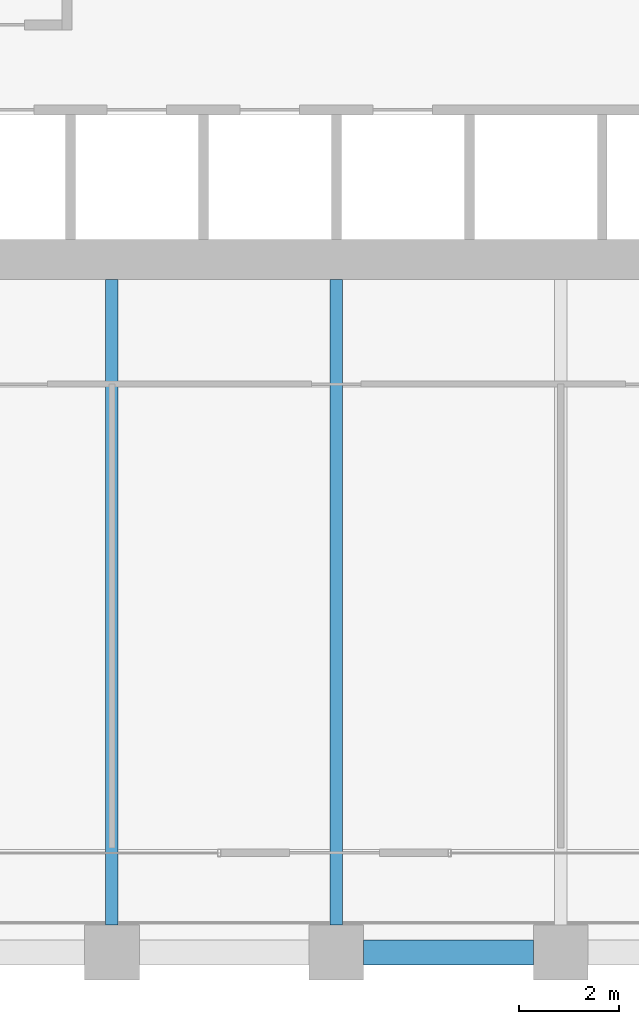
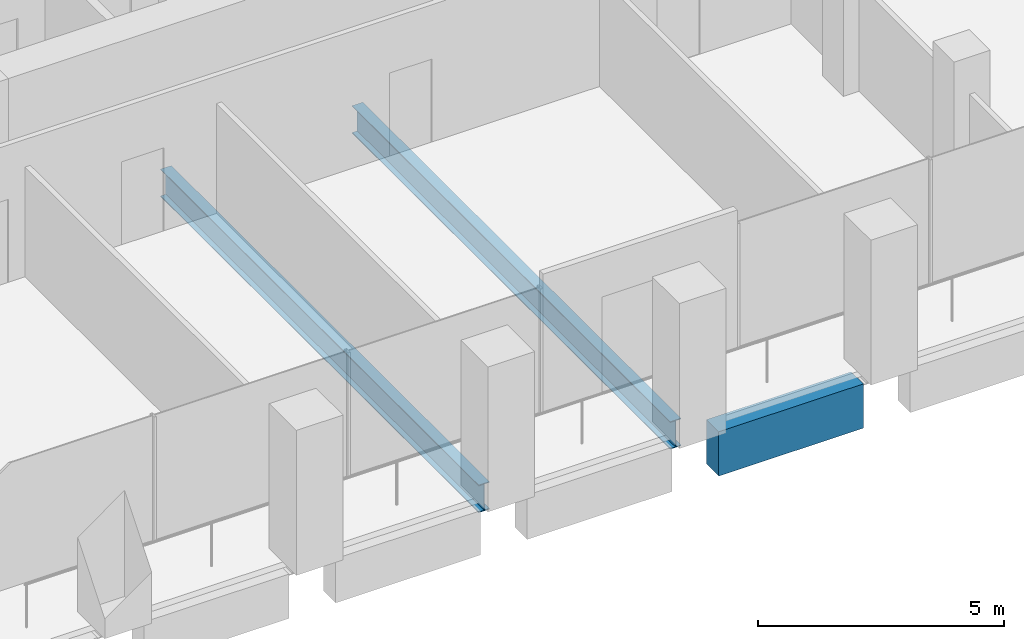
# One storey, part 8 of 56: 3 beams.
"""IFC4 building model written with IfcOpenShell, lengths in metres."""

from ifc_helpers import new_model, si_unit, direction, frame, origin, origin_2d, place, context, subcontext, project, spatial, rectangle, i_section, extrude, material, material_profile, profile_set, type_object, element, save


model = new_model("IFC4")

# Units and contexts
model_context = context("Model", 3, precision=1e-05, world=origin(), true_north=direction((0.0, 1.0)))
body_context = subcontext(model_context, "Body", "Model", "MODEL_VIEW")
ifc_project = project(units=[si_unit("LENGTHUNIT", "METRE"), si_unit("AREAUNIT", "SQUARE_METRE"), si_unit("VOLUMEUNIT", "CUBIC_METRE"), si_unit("PLANEANGLEUNIT", "RADIAN"), si_unit("MASSUNIT", "GRAM", prefix="KILO")], contexts=[model_context])

# Site, building, storey
site_placement = place(None, origin())
site = spatial("IfcSite", under=ifc_project, at=site_placement, CompositionType="ELEMENT")
building_placement = place(site_placement, origin())
building = spatial("IfcBuilding", under=site, at=building_placement, Name="Altepetl Exchange Towers", CompositionType="ELEMENT")
storey_placement = place(building_placement, frame((0.0, 0.0, 54.60009765625)))
storey = spatial("IfcBuildingStorey", under=building, at=storey_placement, Name="L12", CompositionType="ELEMENT", Elevation=54.60009765625)

# Beams
ifc_material_1 = material(Name="Steel S355", Category="steel")
ifc_material_profile_1 = material_profile(ifc_material_1, i_section(OverallWidth=0.25390625, OverallDepth=0.68408203125, WebThickness=0.012451171875, FlangeThickness=0.018798828125, at=origin_2d()), Name="W27X94")
ifc_profile_set_1 = profile_set([ifc_material_profile_1], Name="Steel S355")
beam_type_1 = type_object("IfcBeamType", Name="Floor beam W27X94", PredefinedType="BEAM", material=ifc_profile_set_1)
for number, where, z_axis, x_axis, name in (
    (1, (45.0, 27.550048828125, -0.4921875), (0.0, 1.0, 0.0), (-1.0, 0.0, 0.0), "bm:A:L12:015"),
    (2, (49.5, 27.550048828125, -0.4921875), (0.0, 1.0, 0.0), (-1.0, 0.0, 0.0), "bm:A:L12:016"),
):
    element("IfcBeam", number, at=place(storey_placement, frame(where, z_axis=z_axis, x_axis=x_axis)), inside=storey, type_object=beam_type_1, Name=name, PredefinedType="BEAM", context=body_context, shape_type="SweptSolid", body=[
        extrude(i_section(OverallWidth=0.25390625, OverallDepth=0.68408203125, WebThickness=0.012451171875, FlangeThickness=0.018798828125, at=origin_2d()), origin(), (0.0, 0.0, 1.0), 12.949951171875),
    ])
ifc_material_2 = material(Name="Concrete C50/60 precast with cantera blanca facing", Category="concrete")
ifc_material_profile_2 = material_profile(ifc_material_2, rectangle(XDim=0.5, YDim=1.10009765625, at=origin_2d()), Name="500 x 1100")
ifc_profile_set_2 = profile_set([ifc_material_profile_2], Name="Concrete C50/60 precast with cantera blanca facing")
beam_type_2 = type_object("IfcBeamType", Name="Spandrel beam 500x1100 cantera blanca", PredefinedType="SPANDREL", material=ifc_profile_set_2)
beam_placement = place(storey_placement, frame((50.050048828125, 27.0, -0.7001953125), z_axis=(1.0, 0.0, 0.0), x_axis=(0.0, 1.0, 0.0)))
element("IfcBeam", 3, at=beam_placement, inside=storey, type_object=beam_type_2, Name="sp:A:L12:004", PredefinedType="SPANDREL", context=body_context, shape_type="SweptSolid", body=[
    extrude(rectangle(XDim=0.5, YDim=1.10009765625, at=origin_2d()), origin(), (0.0, 0.0, 1.0), 3.39990234375),
])

save(model, "model.ifc")
